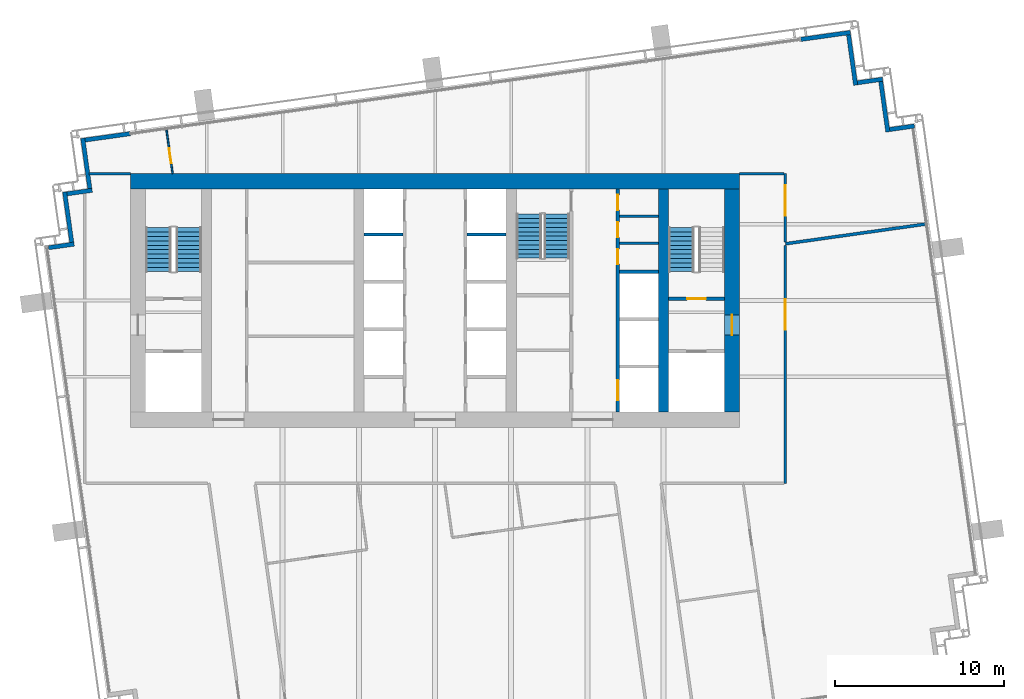
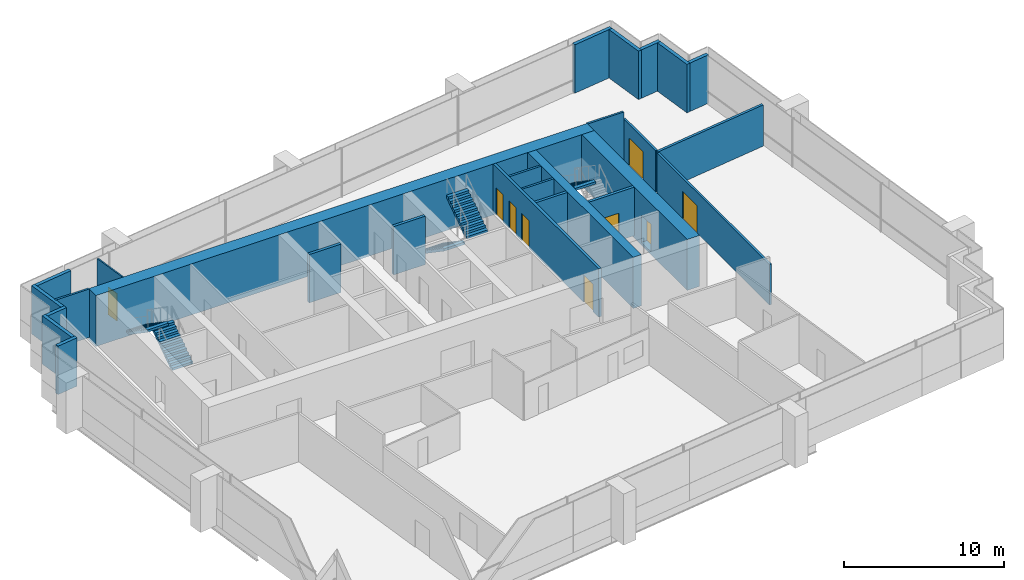
# One storey, part 11 of 17: 26 walls, 9 doors, 5 stair flights, 9 openings, 3 elements without a shape of their own.
"""IFC4 building model written with IfcOpenShell, lengths in metres."""

from ifc_helpers import new_model, si_unit, direction, frame, frame_2d, origin, place, context, subcontext, project, spatial, polyline, rectangle, outline, extrude, material, layer, layer_set, type_object, element, fill, aggregate, save


model = new_model("IFC4")

# Units and contexts
model_context = context("Model", 3, precision=1e-05, world=origin(), true_north=direction((0.0, 1.0)))
body_context = subcontext(model_context, "Body", "Model", "MODEL_VIEW")
ifc_project = project(units=[si_unit("LENGTHUNIT", "METRE"), si_unit("AREAUNIT", "SQUARE_METRE"), si_unit("VOLUMEUNIT", "CUBIC_METRE"), si_unit("PLANEANGLEUNIT", "RADIAN"), si_unit("MASSUNIT", "GRAM", prefix="KILO")], contexts=[model_context])

# Site, building, storey
site_placement = place(None, origin())
site = spatial("IfcSite", under=ifc_project, at=site_placement, CompositionType="ELEMENT")
building_placement = place(site_placement, origin())
building = spatial("IfcBuilding", under=site, at=building_placement, Name="Rattan Terrace Tower", CompositionType="ELEMENT")
storey_placement = place(building_placement, frame((0.0, 0.0, 221.300048828125)))
storey = spatial("IfcBuildingStorey", under=building, at=storey_placement, Name="L50", CompositionType="ELEMENT", Elevation=221.300048828125)

# Walls
ifc_material_1 = material(Name="Gypsum board partition")
ifc_layer_1 = layer(ifc_material_1, 0.14990234375)
ifc_layer_set_1 = layer_set([ifc_layer_1], Name="Core partition 150")
wall_type_1 = type_object("IfcWallType", Name="Core partition 150", PredefinedType="PARTITIONING", material=ifc_layer_set_1)
for number, where, z_axis, x_axis, name in (
    (1, (10.89990234375, 3.384033203125, 0.0), (0.0, 0.0, 1.0), (1.0, 0.0, 0.0), "Riser room wall"),
    (2, (10.89990234375, 4.968017578125, 0.0), (0.0, 0.0, 1.0), (1.0, 0.0, 0.0), "Riser room wall"),
):
    element("IfcWall", number, at=place(storey_placement, frame(where, z_axis=z_axis, x_axis=x_axis)), inside=storey, type_object=wall_type_1, Name=name, PredefinedType="PARTITIONING", context=body_context, shape_type="SweptSolid", body=[
        extrude(rectangle(XDim=2.300048828125, YDim=0.14990234375, at=frame_2d((1.14990234375, 0.0))), origin(), (0.0, 0.0, 1.0), 3.699951171875),
    ])

# Wall, opening, door
ifc_material_2 = material(Name="Gypsum board partition")
ifc_layer_2 = layer(ifc_material_2, 0.199951171875)
ifc_layer_set_2 = layer_set([ifc_layer_2], Name="Core partition 200")
wall_type_2 = type_object("IfcWallType", Name="Core partition 200", PredefinedType="PARTITIONING", material=ifc_layer_set_2)
wall_1_placement = place(storey_placement, frame((13.800048828125, 0.10009765625, 0.0), z_axis=(0.0, 0.0, 1.0), x_axis=(1.0, 0.0, 0.0)))
wall_1 = element("IfcWall", 3, at=wall_1_placement, inside=storey, type_object=wall_type_2, Name="Stair enclosure wall", PredefinedType="PARTITIONING", context=body_context, shape_type="SweptSolid", body=[
    extrude(rectangle(XDim=3.300048828125, YDim=0.199951171875, at=frame_2d((1.64990234375, 0.0))), origin(), (0.0, 0.0, 1.0), 3.699951171875),
])
opening_1_placement = place(wall_1_placement, frame((1.10009765625, 0.0, 0.0)))
opening_1 = element("IfcOpeningElement", 4, at=opening_1_placement, cuts=wall_1, Name="Opening L50-D004", PredefinedType="OPENING", context=body_context, shape_type="SweptSolid", body=[
    extrude(rectangle(XDim=1.10009765625, YDim=2.10009765625, at=frame_2d((0.550048828125, 1.050048828125))), frame((0.0, 0.110595703125, 0.0), z_axis=(0.0, -1.0, 0.0), x_axis=(1.0, 0.0, 0.0)), (0.0, 0.0, 1.0), 0.220947265625),
])
ifc_material_3 = material(Name="Hollow-metal fire door leaf")
door_type_1 = type_object("IfcDoorType", Name="Core stair door 1100", OperationType="NOTDEFINED", PredefinedType="DOOR", material=ifc_material_3)
door_1_placement = place(opening_1_placement, origin())
door_1 = element("IfcDoor", 5, at=door_1_placement, inside=storey, type_object=door_type_1, Name="Door L50-D004", OperationType="SINGLE_SWING_RIGHT", OverallHeight=2.10009765625, OverallWidth=1.10009765625, PredefinedType="DOOR", context=body_context, shape_type="SweptSolid", body=[
    extrude(rectangle(XDim=1.10009765625, YDim=2.10009765625, at=frame_2d((0.550048828125, 1.050048828125))), frame((0.0, 0.02490234375, 0.0), z_axis=(0.0, -1.0, 0.0), x_axis=(1.0, 0.0, 0.0)), (0.0, 0.0, 1.0), 0.050048828125),
])
fill(opening_1, door_1)

# Wall
ifc_material_4 = material(Name="Concrete C50/60", Category="concrete")
ifc_layer_3 = layer(ifc_material_4, 0.89990234375)
ifc_layer_set_3 = layer_set([ifc_layer_3], Name="Core ring wall 900 C50/60")
wall_type_3 = type_object("IfcWallType", Name="Core ring wall 900 C50/60", PredefinedType="SHEAR", material=ifc_layer_set_3)
wall_2_placement = place(storey_placement, frame((-18.0, 7.050048828125, -0.199951171875), z_axis=(0.0, 0.0, 1.0), x_axis=(1.0, 0.0, 0.0)))
element("IfcWall", 6, at=wall_2_placement, inside=storey, type_object=wall_type_3, Name="Rear core wall north", PredefinedType="SHEAR", context=body_context, shape_type="SweptSolid", body=[
    extrude(rectangle(XDim=36.0, YDim=0.89990234375, at=frame_2d((18.0, 0.0))), origin(), (0.0, 0.0, 1.0), 3.89990234375),
])

# Wall, opening, door
wall_3_placement = place(storey_placement, frame((17.550048828125, -6.60009765625, -0.199951171875), z_axis=(0.0, 0.0, 1.0), x_axis=(0.0, 1.0, 0.0)))
wall_3 = element("IfcWall", 7, at=wall_3_placement, inside=storey, type_object=wall_type_3, Name="Rear core wall east", PredefinedType="SHEAR", context=body_context, shape_type="SweptSolid", body=[
    extrude(rectangle(XDim=13.2001953125, YDim=0.89990234375, at=frame_2d((6.60009765625, 0.0))), origin(), (0.0, 0.0, 1.0), 3.89990234375),
])
opening_2_placement = place(wall_3_placement, frame((4.550048828125, 0.0, 0.199951171875)))
opening_2 = element("IfcOpeningElement", 8, at=opening_2_placement, cuts=wall_3, Name="Opening L50-D003", PredefinedType="OPENING", context=body_context, shape_type="SweptSolid", body=[
    extrude(rectangle(XDim=1.199951171875, YDim=2.10009765625, at=frame_2d((0.60009765625, 1.050048828125))), frame((0.0, 0.46044921875, 0.0), z_axis=(0.0, -1.0, 0.0), x_axis=(1.0, 0.0, 0.0)), (0.0, 0.0, 1.0), 0.9208984375),
])
ifc_material_5 = material(Name="Hollow-metal fire door leaf")
door_type_2 = type_object("IfcDoorType", Name="Core fire-fighting lobby door 1200", OperationType="NOTDEFINED", PredefinedType="DOOR", material=ifc_material_5)
door_2_placement = place(opening_2_placement, origin())
door_2 = element("IfcDoor", 9, at=door_2_placement, inside=storey, type_object=door_type_2, Name="Door L50-D003", OperationType="SINGLE_SWING_LEFT", OverallHeight=2.10009765625, OverallWidth=1.199951171875, PredefinedType="DOOR", context=body_context, shape_type="SweptSolid", body=[
    extrude(rectangle(XDim=1.199951171875, YDim=2.10009765625, at=frame_2d((0.60009765625, 1.050048828125))), frame((0.0, 0.02490234375, 0.0), z_axis=(0.0, -1.0, 0.0), x_axis=(1.0, 0.0, 0.0)), (0.0, 0.0, 1.0), 0.050048828125),
])
fill(opening_2, door_2)

# Walls
ifc_material_6 = material(Name="Concrete C50/60", Category="concrete")
ifc_layer_4 = layer(ifc_material_6, 0.60009765625)
ifc_layer_set_4 = layer_set([ifc_layer_4], Name="Core spine wall 600 C50/60")
wall_type_4 = type_object("IfcWallType", Name="Core spine wall 600 C50/60", PredefinedType="SHEAR", material=ifc_layer_set_4)
wall_4_placement = place(storey_placement, frame((13.5, -6.60009765625, -0.199951171875), z_axis=(0.0, 0.0, 1.0), x_axis=(0.0, 1.0, 0.0)))
element("IfcWall", 10, at=wall_4_placement, inside=storey, type_object=wall_type_4, Name="Core spine wall 4", PredefinedType="SHEAR", context=body_context, shape_type="SweptSolid", body=[
    extrude(rectangle(XDim=13.2001953125, YDim=0.60009765625, at=frame_2d((6.60009765625, 0.0))), origin(), (0.0, 0.0, 1.0), 3.89990234375),
])
ifc_material_7 = material(Name="Insulated aluminium-clad stud wall", Category="aluminium")
ifc_layer_5 = layer(ifc_material_7, 0.25)
ifc_layer_set_5 = layer_set([ifc_layer_5], Name="Facade Riser Wall 250")
wall_type_5 = type_object("IfcWallType", Name="Facade Riser Wall 250", PredefinedType="SOLIDWALL", material=ifc_layer_set_5)
wall_5_placement = place(storey_placement, frame((28.322265625, 10.308837890625, 0.0), z_axis=(0.0, 0.0, 1.0), x_axis=(-0.990235520307, -0.13940449893, 0.0)))
element("IfcWall", 11, at=wall_5_placement, inside=storey, type_object=wall_type_5, Name="Riser wall L50-6", PredefinedType="SOLIDWALL", context=body_context, shape_type="SweptSolid", body=[
    extrude(rectangle(XDim=1.474609375, YDim=0.25, at=frame_2d((0.7373046875, 0.0))), origin(), (0.0, 0.0, 1.0), 3.699951171875),
])
wall_6_placement = place(storey_placement, frame((26.755859375, 9.962158203125, 0.0), z_axis=(0.0, 0.0, 1.0), x_axis=(-0.139393225799, 0.990237107263, 0.0)))
element("IfcWall", 12, at=wall_6_placement, inside=storey, type_object=wall_type_5, Name="Riser wall L50-7", PredefinedType="SOLIDWALL", context=body_context, shape_type="SweptSolid", body=[
    extrude(rectangle(XDim=3.000244140625, YDim=0.25, at=frame_2d((1.5, 0.0))), origin(), (0.0, 0.0, 1.0), 3.699951171875),
])
wall_7_placement = place(storey_placement, frame((26.444091796875, 13.074462890625, 0.0), z_axis=(0.0, 0.0, 1.0), x_axis=(-0.990240434918, -0.139369584395, 0.0)))
element("IfcWall", 13, at=wall_7_placement, inside=storey, type_object=wall_type_5, Name="Riser wall L50-8", PredefinedType="SOLIDWALL", context=body_context, shape_type="SweptSolid", body=[
    extrude(rectangle(XDim=1.49951171875, YDim=0.25, at=frame_2d((0.749755859375, 0.0))), origin(), (0.0, 0.0, 1.0), 3.699951171875),
])
wall_8_placement = place(storey_placement, frame((24.852783203125, 12.72412109375, 0.0), z_axis=(0.0, 0.0, 1.0), x_axis=(-0.139302206688, 0.990249915532, 0.0)))
element("IfcWall", 14, at=wall_8_placement, inside=storey, type_object=wall_type_5, Name="Riser wall L50-9", PredefinedType="SOLIDWALL", context=body_context, shape_type="SweptSolid", body=[
    extrude(rectangle(XDim=3.00048828125, YDim=0.25, at=frame_2d((1.500244140625, 0.0))), origin(), (0.0, 0.0, 1.0), 3.699951171875),
])
wall_9_placement = place(storey_placement, frame((24.541015625, 15.83642578125, 0.0), z_axis=(0.0, 0.0, 1.0), x_axis=(-0.990285396533, -0.139049751574, 0.0)))
element("IfcWall", 15, at=wall_9_placement, inside=storey, type_object=wall_type_5, Name="Riser wall L50-10", PredefinedType="SOLIDWALL", context=body_context, shape_type="SweptSolid", body=[
    extrude(rectangle(XDim=2.955078125, YDim=0.25, at=frame_2d((1.4775390625, 0.0))), origin(), (0.0, 0.0, 1.0), 3.699951171875),
])
wall_10_placement = place(storey_placement, frame((-17.995361328125, 9.858642578125, 0.0), z_axis=(0.0, 0.0, 1.0), x_axis=(-0.99024510326, -0.139336411139, 0.0)))
element("IfcWall", 16, at=wall_10_placement, inside=storey, type_object=wall_type_5, Name="Riser wall L50-11", PredefinedType="SOLIDWALL", context=body_context, shape_type="SweptSolid", body=[
    extrude(rectangle(XDim=2.705322265625, YDim=0.25, at=frame_2d((1.3525390625, 0.0))), origin(), (0.0, 0.0, 1.0), 3.699951171875),
])
wall_11_placement = place(storey_placement, frame((-20.8154296875, 9.588134765625, 0.0), z_axis=(0.0, 0.0, 1.0), x_axis=(0.138983028379, -0.9902947631, 0.0)))
element("IfcWall", 17, at=wall_11_placement, inside=storey, type_object=wall_type_5, Name="Riser wall L50-12", PredefinedType="SOLIDWALL", context=body_context, shape_type="SweptSolid", body=[
    extrude(rectangle(XDim=3.000244140625, YDim=0.25, at=frame_2d((1.5, 0.0))), origin(), (0.0, 0.0, 1.0), 3.699951171875),
])
wall_12_placement = place(storey_placement, frame((-20.25732421875, 6.510498046875, 0.0), z_axis=(0.0, 0.0, 1.0), x_axis=(-0.990330117064, -0.138730887823, 0.0)))
element("IfcWall", 18, at=wall_12_placement, inside=storey, type_object=wall_type_5, Name="Riser wall L50-13", PredefinedType="SOLIDWALL", context=body_context, shape_type="SweptSolid", body=[
    extrude(rectangle(XDim=1.499267578125, YDim=0.25, at=frame_2d((0.74951171875, 0.0))), origin(), (0.0, 0.0, 1.0), 3.699951171875),
])
wall_13_placement = place(storey_placement, frame((-21.88330078125, 6.408935546875, 0.0), z_axis=(0.0, 0.0, 1.0), x_axis=(0.139324658755, -0.990246756855, 0.0)))
element("IfcWall", 19, at=wall_13_placement, inside=storey, type_object=wall_type_5, Name="Riser wall L50-14", PredefinedType="SOLIDWALL", context=body_context, shape_type="SweptSolid", body=[
    extrude(rectangle(XDim=3.0, YDim=0.25, at=frame_2d((1.5, 0.0))), origin(), (0.0, 0.0, 1.0), 3.699951171875),
])
wall_14_placement = place(storey_placement, frame((-21.32421875, 3.331787109375, 0.0), z_axis=(0.0, 0.0, 1.0), x_axis=(-0.990238641016, -0.139382329723, 0.0)))
element("IfcWall", 20, at=wall_14_placement, inside=storey, type_object=wall_type_5, Name="Riser wall L50-15", PredefinedType="SOLIDWALL", context=body_context, shape_type="SweptSolid", body=[
    extrude(rectangle(XDim=1.525634765625, YDim=0.25, at=frame_2d((0.7626953125, 0.0))), origin(), (0.0, 0.0, 1.0), 3.699951171875),
])
ifc_material_8 = material(Name="Double steel stud acoustic partition, gypsum board, mineral wool, fire rated", Category="steel")
ifc_layer_6 = layer(ifc_material_8, 0.179931640625)
ifc_layer_set_6 = layer_set([ifc_layer_6], Name="Floors Acoustic Party Wall 180")
wall_type_6 = type_object("IfcWallType", Name="Floors Acoustic Party Wall 180", PredefinedType="PARTITIONING", material=ifc_layer_set_6)
wall_15_placement = place(storey_placement, frame((20.699951171875, 3.35009765625, 0.0), z_axis=(0.0, 0.0, 1.0), x_axis=(0.990269965101, 0.139159606996, 0.0)))
element("IfcWall", 21, at=wall_15_placement, inside=storey, type_object=wall_type_6, Name="pt-L50-022", PredefinedType="PARTITIONING", context=body_context, shape_type="SweptSolid", body=[
    extrude(rectangle(XDim=8.328125, YDim=0.179931640625, at=frame_2d((4.1640625, 0.0))), origin(), (0.0, 0.0, 1.0), 3.14990234375),
])

# Wall, opening, door
ifc_material_9 = material(Name="Gypsum board partition on steel studs", Category="steel")
ifc_layer_7 = layer(ifc_material_9, 0.10009765625)
ifc_layer_set_7 = layer_set([ifc_layer_7], Name="Floors Partition 100")
wall_type_7 = type_object("IfcWallType", Name="Floors Partition 100", PredefinedType="PARTITIONING", material=ifc_layer_set_7)
wall_16_placement = place(storey_placement, frame((-15.50390625, 7.5, 0.0), z_axis=(0.0, 0.0, 1.0), x_axis=(-0.138928669032, 0.990302390647, 0.0)))
wall_16 = element("IfcWall", 22, at=wall_16_placement, inside=storey, type_object=wall_type_7, Name="pt-L50-024", PredefinedType="PARTITIONING", context=body_context, shape_type="SweptSolid", body=[
    extrude(rectangle(XDim=2.592041015625, YDim=0.10009765625, at=frame_2d((1.2958984375, 0.0))), origin(), (0.0, 0.0, 1.0), 3.699951171875),
])
opening_3_placement = place(wall_16_placement, frame((0.60791015625, 0.0, 0.0)))
opening_3 = element("IfcOpeningElement", 23, at=opening_3_placement, cuts=wall_16, Name="Opening L50-D105", PredefinedType="OPENING", context=body_context, shape_type="SweptSolid", body=[
    extrude(rectangle(XDim=0.89990234375, YDim=2.10009765625, at=frame_2d((0.449951171875, 1.050048828125))), frame((0.0, 0.060546875, 0.0), z_axis=(0.0, -1.0, 0.0), x_axis=(1.0, 0.0, 0.0)), (0.0, 0.0, 1.0), 0.12109375),
])
ifc_material_10 = material(Name="Solid core timber door, painted", Category="wood")
door_type_3 = type_object("IfcDoorType", Name="Floors Door 900x2100", OperationType="NOTDEFINED", PredefinedType="DOOR", material=ifc_material_10)
door_3_placement = place(opening_3_placement, origin())
door_3 = element("IfcDoor", 24, at=door_3_placement, inside=storey, type_object=door_type_3, Name="d-L50-105", OperationType="SINGLE_SWING_LEFT", OverallHeight=2.10009765625, OverallWidth=0.89990234375, PredefinedType="DOOR", context=body_context, shape_type="SweptSolid", body=[
    extrude(rectangle(XDim=0.89990234375, YDim=2.10009765625, at=frame_2d((0.449951171875, 1.050048828125))), frame((0.0, 0.02490234375, 0.0), z_axis=(0.0, -1.0, 0.0), x_axis=(1.0, 0.0, 0.0)), (0.0, 0.0, 1.0), 0.050048828125),
])
fill(opening_3, door_3)

ifc_material_11 = material(Name="Gypsum board partition on steel studs, fire rated", Category="steel")
ifc_layer_8 = layer(ifc_material_11, 0.14990234375)
ifc_layer_set_8 = layer_set([ifc_layer_8], Name="Floors Tenancy Wall 150")
wall_type_8 = type_object("IfcWallType", Name="Floors Tenancy Wall 150", PredefinedType="PARTITIONING", material=ifc_layer_set_8)
wall_17_placement = place(storey_placement, frame((20.699951171875, 3.260986328125, 0.0), z_axis=(0.0, 0.0, 1.0), x_axis=(0.0, -1.0, 0.0)))
wall_17 = element("IfcWall", 25, at=wall_17_placement, inside=storey, type_object=wall_type_8, Name="pt-L50-005", PredefinedType="PARTITIONING", context=body_context, shape_type="SweptSolid", body=[
    extrude(rectangle(XDim=14.06103515625, YDim=0.14990234375, at=frame_2d((7.030517578125, 0.0))), origin(), (0.0, 0.0, 1.0), 3.099853515625),
])
opening_4_placement = place(wall_17_placement, frame((3.18994140625, 0.0, 0.0)))
opening_4 = element("IfcOpeningElement", 26, at=opening_4_placement, cuts=wall_17, Name="Opening L50-D101", PredefinedType="OPENING", context=body_context, shape_type="SweptSolid", body=[
    extrude(rectangle(XDim=1.800048828125, YDim=2.10009765625, at=frame_2d((0.89990234375, 1.050048828125))), frame((0.0, 0.08544921875, 0.0), z_axis=(0.0, -1.0, 0.0), x_axis=(1.0, 0.0, 0.0)), (0.0, 0.0, 1.0), 0.1708984375),
])
ifc_material_12 = material(Name="Steel fire door set", Category="steel")
door_type_4 = type_object("IfcDoorType", Name="Floors Fire Door Pair FD30S 1800x2100", OperationType="NOTDEFINED", PredefinedType="DOOR", material=ifc_material_12)
door_4_placement = place(opening_4_placement, origin())
door_4 = element("IfcDoor", 27, at=door_4_placement, inside=storey, type_object=door_type_4, Name="d-L50-101", OperationType="DOUBLE_DOOR_SINGLE_SWING", OverallHeight=2.10009765625, OverallWidth=1.800048828125, PredefinedType="DOOR", context=body_context, shape_type="SweptSolid", body=[
    extrude(rectangle(XDim=1.800048828125, YDim=2.10009765625, at=frame_2d((0.89990234375, 1.050048828125))), frame((0.0, 0.02490234375, 0.0), z_axis=(0.0, -1.0, 0.0), x_axis=(1.0, 0.0, 0.0)), (0.0, 0.0, 1.0), 0.050048828125),
])
fill(opening_4, door_4)

# Wall
wall_18_placement = place(storey_placement, frame((18.0, 7.5009765625, 0.0), z_axis=(0.0, 0.0, 1.0), x_axis=(1.0, 0.0, 0.0)))
element("IfcWall", 28, at=wall_18_placement, inside=storey, type_object=wall_type_8, Name="pt-L50-009", PredefinedType="PARTITIONING", context=body_context, shape_type="SweptSolid", body=[
    extrude(rectangle(XDim=2.625, YDim=0.14990234375, at=frame_2d((1.3125, 0.0))), origin(), (0.0, 0.0, 1.0), 3.699951171875),
])

# Wall, opening, door
wall_19_placement = place(storey_placement, frame((20.699951171875, 7.5, 0.0), z_axis=(0.0, 0.0, 1.0), x_axis=(0.0, -1.0, 0.0)))
wall_19 = element("IfcWall", 29, at=wall_19_placement, inside=storey, type_object=wall_type_8, Name="pt-L50-010", PredefinedType="PARTITIONING", context=body_context, shape_type="SweptSolid", body=[
    extrude(rectangle(XDim=4.049072265625, YDim=0.14990234375, at=frame_2d((2.0244140625, 0.0))), origin(), (0.0, 0.0, 1.0), 3.14990234375),
])
opening_5_placement = place(wall_19_placement, frame((0.68701171875, 0.0, 0.0)))
opening_5 = element("IfcOpeningElement", 30, at=opening_5_placement, cuts=wall_19, Name="Opening L50-D104", PredefinedType="OPENING", context=body_context, shape_type="SweptSolid", body=[
    extrude(rectangle(XDim=1.800048828125, YDim=2.10009765625, at=frame_2d((0.89990234375, 1.050048828125))), frame((0.0, 0.08544921875, 0.0), z_axis=(0.0, -1.0, 0.0), x_axis=(1.0, 0.0, 0.0)), (0.0, 0.0, 1.0), 0.1708984375),
])
door_5_placement = place(opening_5_placement, origin())
door_5 = element("IfcDoor", 31, at=door_5_placement, inside=storey, type_object=door_type_4, Name="d-L50-104", OperationType="DOUBLE_DOOR_SINGLE_SWING", OverallHeight=2.10009765625, OverallWidth=1.800048828125, PredefinedType="DOOR", context=body_context, shape_type="SweptSolid", body=[
    extrude(rectangle(XDim=1.800048828125, YDim=2.10009765625, at=frame_2d((0.89990234375, 1.050048828125))), frame((0.0, 0.02490234375, 0.0), z_axis=(0.0, -1.0, 0.0), x_axis=(1.0, 0.0, 0.0)), (0.0, 0.0, 1.0), 0.050048828125),
])
fill(opening_5, door_5)

# Walls
wall_20_placement = place(storey_placement, frame((-20.430908203125, 7.5, 0.0), z_axis=(0.0, 0.0, 1.0), x_axis=(1.0, 0.0, 0.0)))
element("IfcWall", 32, at=wall_20_placement, inside=storey, type_object=wall_type_8, Name="pt-L50-011", PredefinedType="PARTITIONING", context=body_context, shape_type="SweptSolid", body=[
    extrude(rectangle(XDim=2.430908203125, YDim=0.14990234375, at=frame_2d((1.21533203125, 0.0))), origin(), (0.0, 0.0, 1.0), 3.699951171875),
])
ifc_material_13 = material(Name="Gypsum shaft wall system")
ifc_layer_9 = layer(ifc_material_13, 0.199951171875)
ifc_layer_set_9 = layer_set([ifc_layer_9], Name="Lift shaft wall 200")
wall_type_9 = type_object("IfcWallType", Name="Lift shaft wall 200", PredefinedType="PARTITIONING", material=ifc_layer_set_9)
for number, where, z_axis, x_axis, name in (
    (33, (-4.199951171875, 3.89990234375, 0.0), (0.0, 0.0, 1.0), (1.0, 0.0, 0.0), "Lift shaft wall"),
    (34, (1.89990234375, 3.89990234375, 0.0), (0.0, 0.0, 1.0), (1.0, 0.0, 0.0), "Lift shaft wall"),
):
    element("IfcWall", number, at=place(storey_placement, frame(where, z_axis=z_axis, x_axis=x_axis)), inside=storey, type_object=wall_type_9, Name=name, PredefinedType="PARTITIONING", context=body_context, shape_type="SweptSolid", body=[
        extrude(rectangle(XDim=2.300048828125, YDim=0.199951171875, at=frame_2d((1.14990234375, 0.0))), origin(), (0.0, 0.0, 1.0), 3.699951171875),
    ])

# Wall, openings, doors
wall_21_placement = place(storey_placement, frame((10.800048828125, -6.60009765625, 0.0), z_axis=(0.0, 0.0, 1.0), x_axis=(0.0, 1.0, 0.0)))
wall_21 = element("IfcWall", 35, at=wall_21_placement, inside=storey, type_object=wall_type_9, Name="Lift shaft front wall", PredefinedType="PARTITIONING", context=body_context, shape_type="SweptSolid", body=[
    extrude(rectangle(XDim=13.2001953125, YDim=0.199951171875, at=frame_2d((6.60009765625, 0.0))), origin(), (0.0, 0.0, 1.0), 3.699951171875),
])
opening_6_placement = place(wall_21_placement, frame((0.699951171875, 0.0, 0.0)))
opening_6 = element("IfcOpeningElement", 36, at=opening_6_placement, cuts=wall_21, Name="Opening L50-LD-SV1", PredefinedType="OPENING", context=body_context, shape_type="SweptSolid", body=[
    extrude(rectangle(XDim=1.199951171875, YDim=2.10009765625, at=frame_2d((0.60009765625, 1.050048828125))), frame((0.0, 0.110595703125, 0.0), z_axis=(0.0, -1.0, 0.0), x_axis=(1.0, 0.0, 0.0)), (0.0, 0.0, 1.0), 0.220947265625),
])
opening_7_placement = place(wall_21_placement, frame((8.741943359375, 0.0, 0.0)))
opening_7 = element("IfcOpeningElement", 37, at=opening_7_placement, cuts=wall_21, Name="Opening L50-D016", PredefinedType="OPENING", context=body_context, shape_type="SweptSolid", body=[
    extrude(rectangle(XDim=0.89990234375, YDim=2.10009765625, at=frame_2d((0.449951171875, 1.050048828125))), frame((0.0, 0.110595703125, 0.0), z_axis=(0.0, -1.0, 0.0), x_axis=(1.0, 0.0, 0.0)), (0.0, 0.0, 1.0), 0.220947265625),
])
opening_8_placement = place(wall_21_placement, frame((10.325927734375, 0.0, 0.0)))
opening_8 = element("IfcOpeningElement", 38, at=opening_8_placement, cuts=wall_21, Name="Opening L50-D017", PredefinedType="OPENING", context=body_context, shape_type="SweptSolid", body=[
    extrude(rectangle(XDim=0.89990234375, YDim=2.10009765625, at=frame_2d((0.449951171875, 1.050048828125))), frame((0.0, 0.110595703125, 0.0), z_axis=(0.0, -1.0, 0.0), x_axis=(1.0, 0.0, 0.0)), (0.0, 0.0, 1.0), 0.220947265625),
])
opening_9_placement = place(wall_21_placement, frame((11.93408203125, 0.0, 0.0)))
opening_9 = element("IfcOpeningElement", 39, at=opening_9_placement, cuts=wall_21, Name="Opening L50-D018", PredefinedType="OPENING", context=body_context, shape_type="SweptSolid", body=[
    extrude(rectangle(XDim=0.89990234375, YDim=2.10009765625, at=frame_2d((0.449951171875, 1.050048828125))), frame((0.0, 0.110595703125, 0.0), z_axis=(0.0, -1.0, 0.0), x_axis=(1.0, 0.0, 0.0)), (0.0, 0.0, 1.0), 0.220947265625),
])
ifc_material_14 = material(Name="Brushed stainless landing door panel")
door_type_5 = type_object("IfcDoorType", Name="Core lift landing door 1200", OperationType="DOUBLE_DOOR_SLIDING", PredefinedType="DOOR", material=ifc_material_14)
door_6_placement = place(opening_6_placement, origin())
door_6 = element("IfcDoor", 40, at=door_6_placement, inside=storey, type_object=door_type_5, Name="Door L50-LD-SV1", OperationType="DOUBLE_DOOR_SLIDING", OverallHeight=2.10009765625, OverallWidth=1.199951171875, PredefinedType="DOOR", context=body_context, shape_type="SweptSolid", body=[
    extrude(rectangle(XDim=1.199951171875, YDim=2.10009765625, at=frame_2d((0.60009765625, 1.050048828125))), frame((0.0, 0.02490234375, 0.0), z_axis=(0.0, -1.0, 0.0), x_axis=(1.0, 0.0, 0.0)), (0.0, 0.0, 1.0), 0.050048828125),
])
fill(opening_6, door_6)
ifc_material_15 = material(Name="Hollow-metal fire door leaf")
door_type_6 = type_object("IfcDoorType", Name="Core riser door 900", OperationType="NOTDEFINED", PredefinedType="DOOR", material=ifc_material_15)
door_7_placement = place(opening_7_placement, origin())
door_7 = element("IfcDoor", 41, at=door_7_placement, inside=storey, type_object=door_type_6, Name="Door L50-D016", OperationType="SINGLE_SWING_RIGHT", OverallHeight=2.10009765625, OverallWidth=0.89990234375, PredefinedType="DOOR", context=body_context, shape_type="SweptSolid", body=[
    extrude(rectangle(XDim=0.89990234375, YDim=2.10009765625, at=frame_2d((0.449951171875, 1.050048828125))), frame((0.0, 0.02490234375, 0.0), z_axis=(0.0, -1.0, 0.0), x_axis=(1.0, 0.0, 0.0)), (0.0, 0.0, 1.0), 0.050048828125),
])
fill(opening_7, door_7)
door_8_placement = place(opening_8_placement, origin())
door_8 = element("IfcDoor", 42, at=door_8_placement, inside=storey, type_object=door_type_6, Name="Door L50-D017", OperationType="SINGLE_SWING_LEFT", OverallHeight=2.10009765625, OverallWidth=0.89990234375, PredefinedType="DOOR", context=body_context, shape_type="SweptSolid", body=[
    extrude(rectangle(XDim=0.89990234375, YDim=2.10009765625, at=frame_2d((0.449951171875, 1.050048828125))), frame((0.0, 0.02490234375, 0.0), z_axis=(0.0, -1.0, 0.0), x_axis=(1.0, 0.0, 0.0)), (0.0, 0.0, 1.0), 0.050048828125),
])
fill(opening_8, door_8)
ifc_material_16 = material(Name="Hollow-metal fire door leaf")
door_type_7 = type_object("IfcDoorType", Name="Core service room door 900", OperationType="NOTDEFINED", PredefinedType="DOOR", material=ifc_material_16)
door_9_placement = place(opening_9_placement, origin())
door_9 = element("IfcDoor", 43, at=door_9_placement, inside=storey, type_object=door_type_7, Name="Door L50-D018", OperationType="SINGLE_SWING_RIGHT", OverallHeight=2.10009765625, OverallWidth=0.89990234375, PredefinedType="DOOR", context=body_context, shape_type="SweptSolid", body=[
    extrude(rectangle(XDim=0.89990234375, YDim=2.10009765625, at=frame_2d((0.449951171875, 1.050048828125))), frame((0.0, 0.02490234375, 0.0), z_axis=(0.0, -1.0, 0.0), x_axis=(1.0, 0.0, 0.0)), (0.0, 0.0, 1.0), 0.050048828125),
])
fill(opening_9, door_9)

# Wall
wall_22_placement = place(storey_placement, frame((10.89990234375, 1.699951171875, 0.0), z_axis=(0.0, 0.0, 1.0), x_axis=(1.0, 0.0, 0.0)))
element("IfcWall", 44, at=wall_22_placement, inside=storey, type_object=wall_type_9, Name="Lift shaft wall", PredefinedType="PARTITIONING", context=body_context, shape_type="SweptSolid", body=[
    extrude(rectangle(XDim=2.300048828125, YDim=0.199951171875, at=frame_2d((1.14990234375, 0.0))), origin(), (0.0, 0.0, 1.0), 3.699951171875),
])

# Stair, stair flights
ifc_material_17 = material(Name="Concrete C40/50", Category="concrete")
stair_type = type_object("IfcStairType", Name="Core exit stair 1500", PredefinedType="HALF_TURN_STAIR", material=ifc_material_17)
stair_1_placement = place(storey_placement, origin())
stair_1 = element("IfcStair", 45, at=stair_1_placement, inside=storey, type_object=stair_type, Name="L50 exit stair 1", PredefinedType="HALF_TURN_STAIR")
ifc_material_18 = material(Name="Concrete C40/50", Category="concrete")
stair_flight_type = type_object("IfcStairFlightType", Name="Core exit stair flight 1500", PredefinedType="STRAIGHT", material=ifc_material_18)
stair_flight_1_placement = place(storey_placement, frame((-14.550048828125, 1.699951171875, 0.0), z_axis=(0.0, 0.0, 1.0), x_axis=(0.0, 1.0, 0.0)))
stair_flight_1 = element("IfcStairFlight", 46, at=stair_flight_1_placement, type_object=stair_flight_type, Name="S1 flight 1", NumberOfRisers=11, NumberOfTreads=10, PredefinedType="STRAIGHT", RiserHeight=0.177272727, TreadLength=0.26, context=body_context, shape_type="SweptSolid", body=[
    extrude(outline(polyline([(0.0, 0.0), (0.0, 0.17724609375), (0.260009765625, 0.17724609375), (0.260009765625, 0.3544921875), (0.52001953125, 0.3544921875), (0.52001953125, 0.53173828125), (0.780029296875, 0.53173828125), (0.780029296875, 0.708984375), (1.0400390625, 0.708984375), (1.0400390625, 0.886474609375), (1.300048828125, 0.886474609375), (1.300048828125, 1.063720703125), (1.56005859375, 1.063720703125), (1.56005859375, 1.240966796875), (1.820068359375, 1.240966796875), (1.820068359375, 1.418212890625), (2.080078125, 1.418212890625), (2.080078125, 1.595458984375), (2.340087890625, 1.595458984375), (2.340087890625, 1.772705078125), (2.60009765625, 1.772705078125), (2.60009765625, 1.949951171875), (2.60009765625, 1.59130859375), (0.26611328125, 0.0), (0.0, 0.0)])), frame((0.0, 0.75, 0.0), z_axis=(0.0, -1.0, 0.0), x_axis=(1.0, 0.0, 0.0)), (0.0, 0.0, 1.0), 1.5),
])
stair_flight_2_placement = place(storey_placement, frame((-16.35009765625, 4.300048828125, 1.949951171875), z_axis=(0.0, 0.0, 1.0), x_axis=(0.0, -1.0, 0.0)))
stair_flight_2 = element("IfcStairFlight", 47, at=stair_flight_2_placement, type_object=stair_flight_type, Name="S1 flight 2", NumberOfRisers=11, NumberOfTreads=10, PredefinedType="STRAIGHT", RiserHeight=0.177272727, TreadLength=0.26, context=body_context, shape_type="SweptSolid", body=[
    extrude(outline(polyline([(0.0, 0.0), (0.0, 0.17724609375), (0.260009765625, 0.17724609375), (0.260009765625, 0.3544921875), (0.52001953125, 0.3544921875), (0.52001953125, 0.53173828125), (0.780029296875, 0.53173828125), (0.780029296875, 0.708984375), (1.0400390625, 0.708984375), (1.0400390625, 0.886474609375), (1.300048828125, 0.886474609375), (1.300048828125, 1.063720703125), (1.56005859375, 1.063720703125), (1.56005859375, 1.240966796875), (1.820068359375, 1.240966796875), (1.820068359375, 1.418212890625), (2.080078125, 1.418212890625), (2.080078125, 1.595458984375), (2.340087890625, 1.595458984375), (2.340087890625, 1.772705078125), (2.60009765625, 1.772705078125), (2.60009765625, 1.949951171875), (2.60009765625, 1.59130859375), (0.26611328125, 0.0), (0.0, 0.0)])), frame((0.0, 0.75, 0.0), z_axis=(0.0, -1.0, 0.0), x_axis=(1.0, 0.0, 0.0)), (0.0, 0.0, 1.0), 1.5),
])
aggregate(stair_1, [stair_flight_1, stair_flight_2])

# Stair, stair flight
stair_2_placement = place(storey_placement, origin())
stair_2 = element("IfcStair", 48, at=stair_2_placement, inside=storey, type_object=stair_type, Name="L50 exit stair 2", PredefinedType="HALF_TURN_STAIR")
stair_flight_3_placement = place(storey_placement, frame((14.550048828125, 4.300048828125, 1.949951171875), z_axis=(0.0, 0.0, 1.0), x_axis=(0.0, -1.0, 0.0)))
stair_flight_3 = element("IfcStairFlight", 49, at=stair_flight_3_placement, type_object=stair_flight_type, Name="S2 flight 2", NumberOfRisers=11, NumberOfTreads=10, PredefinedType="STRAIGHT", RiserHeight=0.177272727, TreadLength=0.26, context=body_context, shape_type="SweptSolid", body=[
    extrude(outline(polyline([(0.0, 0.0), (0.0, 0.17724609375), (0.260009765625, 0.17724609375), (0.260009765625, 0.3544921875), (0.52001953125, 0.3544921875), (0.52001953125, 0.53173828125), (0.780029296875, 0.53173828125), (0.780029296875, 0.708984375), (1.0400390625, 0.708984375), (1.0400390625, 0.886474609375), (1.300048828125, 0.886474609375), (1.300048828125, 1.063720703125), (1.56005859375, 1.063720703125), (1.56005859375, 1.240966796875), (1.820068359375, 1.240966796875), (1.820068359375, 1.418212890625), (2.080078125, 1.418212890625), (2.080078125, 1.595458984375), (2.340087890625, 1.595458984375), (2.340087890625, 1.772705078125), (2.60009765625, 1.772705078125), (2.60009765625, 1.949951171875), (2.60009765625, 1.59130859375), (0.26611328125, 0.0), (0.0, 0.0)])), frame((0.0, 0.75, 0.0), z_axis=(0.0, -1.0, 0.0), x_axis=(1.0, 0.0, 0.0)), (0.0, 0.0, 1.0), 1.5),
])
aggregate(stair_2, [stair_flight_3])

# Stair, stair flights
stair_3_placement = place(storey_placement, origin())
stair_3 = element("IfcStair", 50, at=stair_3_placement, inside=storey, type_object=stair_type, Name="L50 exit stair 3", PredefinedType="HALF_TURN_STAIR")
stair_flight_4_placement = place(storey_placement, frame((5.550048828125, 5.10009765625, 0.0), z_axis=(0.0, 0.0, 1.0), x_axis=(0.0, -1.0, 0.0)))
stair_flight_4 = element("IfcStairFlight", 51, at=stair_flight_4_placement, type_object=stair_flight_type, Name="S3 flight 1", NumberOfRisers=11, NumberOfTreads=10, PredefinedType="STRAIGHT", RiserHeight=0.177272727, TreadLength=0.26, context=body_context, shape_type="SweptSolid", body=[
    extrude(outline(polyline([(0.0, 0.0), (0.0, 0.17724609375), (0.260009765625, 0.17724609375), (0.260009765625, 0.3544921875), (0.52001953125, 0.3544921875), (0.52001953125, 0.53173828125), (0.780029296875, 0.53173828125), (0.780029296875, 0.708984375), (1.0400390625, 0.708984375), (1.0400390625, 0.886474609375), (1.300048828125, 0.886474609375), (1.300048828125, 1.063720703125), (1.56005859375, 1.063720703125), (1.56005859375, 1.240966796875), (1.820068359375, 1.240966796875), (1.820068359375, 1.418212890625), (2.080078125, 1.418212890625), (2.080078125, 1.595458984375), (2.340087890625, 1.595458984375), (2.340087890625, 1.772705078125), (2.60009765625, 1.772705078125), (2.60009765625, 1.949951171875), (2.60009765625, 1.59130859375), (0.26611328125, 0.0), (0.0, 0.0)])), frame((0.0, 0.75, 0.0), z_axis=(0.0, -1.0, 0.0), x_axis=(1.0, 0.0, 0.0)), (0.0, 0.0, 1.0), 1.5),
])
stair_flight_5_placement = place(storey_placement, frame((7.199951171875, 2.5, 1.949951171875), z_axis=(0.0, 0.0, 1.0), x_axis=(0.0, 1.0, 0.0)))
stair_flight_5 = element("IfcStairFlight", 52, at=stair_flight_5_placement, type_object=stair_flight_type, Name="S3 flight 2", NumberOfRisers=11, NumberOfTreads=10, PredefinedType="STRAIGHT", RiserHeight=0.177272727, TreadLength=0.26, context=body_context, shape_type="SweptSolid", body=[
    extrude(outline(polyline([(0.0, 0.0), (0.0, 0.17724609375), (0.260009765625, 0.17724609375), (0.260009765625, 0.3544921875), (0.52001953125, 0.3544921875), (0.52001953125, 0.53173828125), (0.780029296875, 0.53173828125), (0.780029296875, 0.708984375), (1.0400390625, 0.708984375), (1.0400390625, 0.886474609375), (1.300048828125, 0.886474609375), (1.300048828125, 1.063720703125), (1.56005859375, 1.063720703125), (1.56005859375, 1.240966796875), (1.820068359375, 1.240966796875), (1.820068359375, 1.418212890625), (2.080078125, 1.418212890625), (2.080078125, 1.595458984375), (2.340087890625, 1.595458984375), (2.340087890625, 1.772705078125), (2.60009765625, 1.772705078125), (2.60009765625, 1.949951171875), (2.60009765625, 1.59130859375), (0.26611328125, 0.0), (0.0, 0.0)])), frame((0.0, 0.75, 0.0), z_axis=(0.0, -1.0, 0.0), x_axis=(1.0, 0.0, 0.0)), (0.0, 0.0, 1.0), 1.5),
])
aggregate(stair_3, [stair_flight_4, stair_flight_5])

save(model, "model.ifc")
